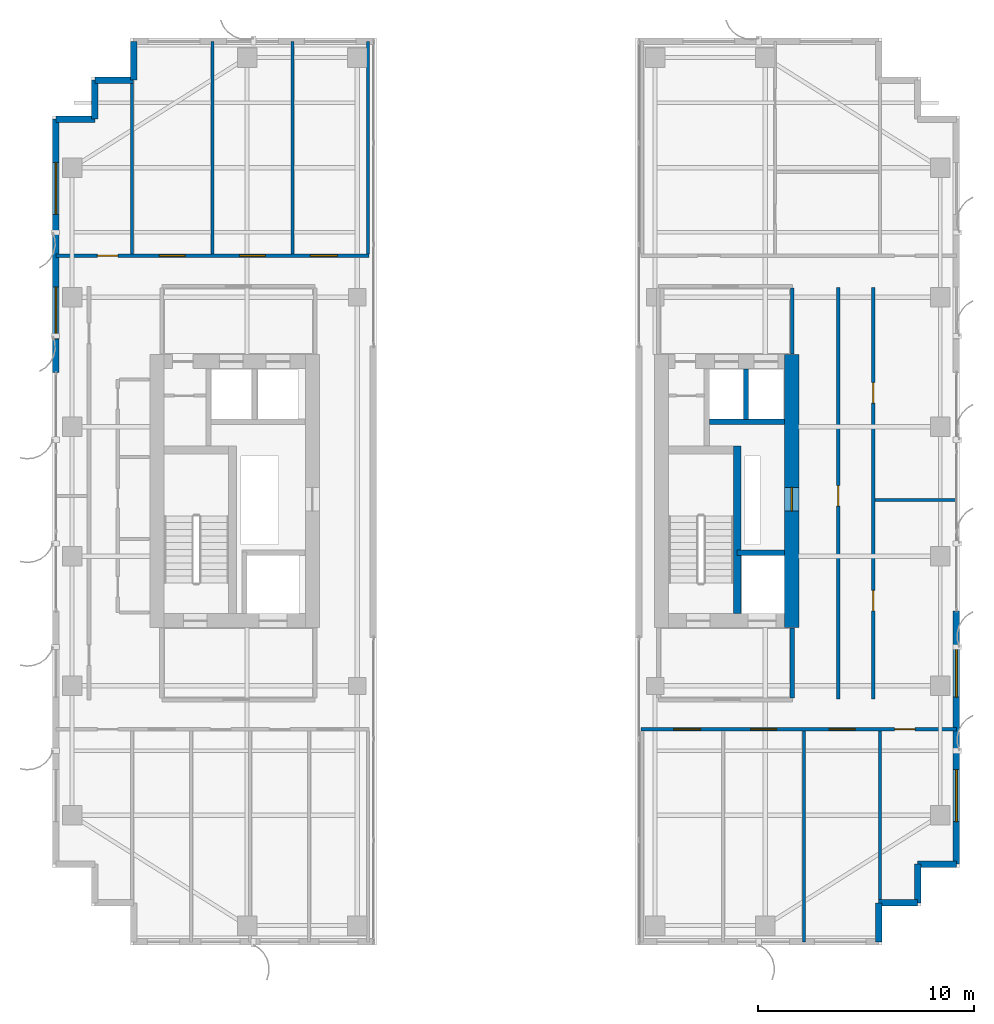
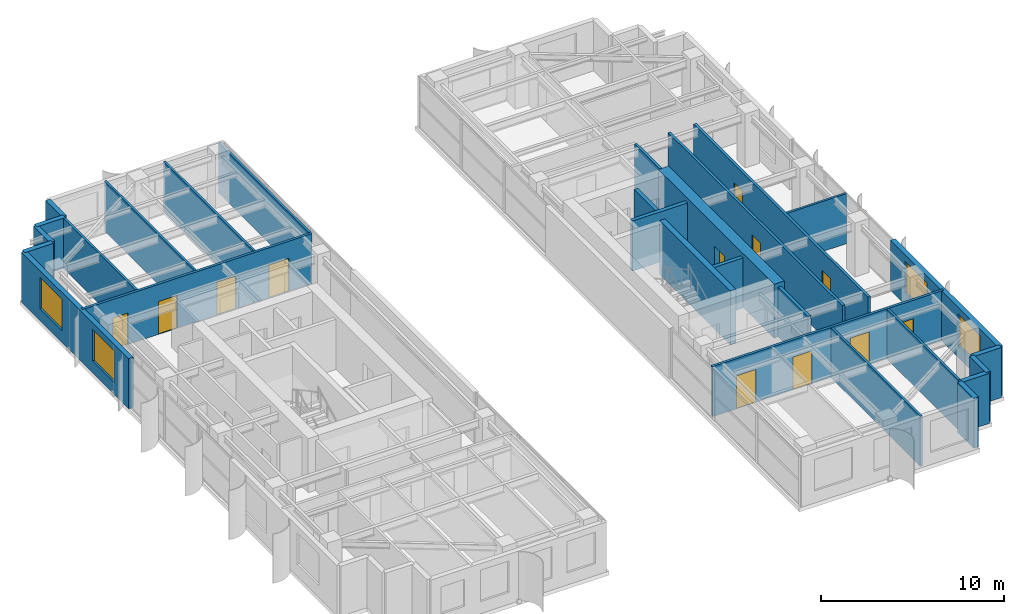
# One storey, part 18 of 22: 28 walls, 12 doors, 4 windows, 16 openings.
"""IFC4 building model written with IfcOpenShell, lengths in metres."""

from ifc_helpers import new_model, si_unit, direction, frame, frame_2d, origin, place, context, subcontext, project, spatial, rectangle, extrude, source, transform, mapped, material, layer, layer_set, type_object, element, fill, save


model = new_model("IFC4")

# Units and contexts
model_context = context("Model", 3, precision=1e-05, world=origin(), true_north=direction((0.0, 1.0)))
body_context = subcontext(model_context, "Body", "Model", "MODEL_VIEW")
ifc_project = project(units=[si_unit("LENGTHUNIT", "METRE"), si_unit("AREAUNIT", "SQUARE_METRE"), si_unit("VOLUMEUNIT", "CUBIC_METRE"), si_unit("PLANEANGLEUNIT", "RADIAN"), si_unit("MASSUNIT", "GRAM", prefix="KILO")], contexts=[model_context])

# Site, building, storey
site_placement = place(None, origin())
site = spatial("IfcSite", under=ifc_project, at=site_placement, CompositionType="ELEMENT")
building_placement = place(site_placement, origin())
building = spatial("IfcBuilding", under=site, at=building_placement, Name="Khoralis Quay Care Tower", CompositionType="ELEMENT")
storey_placement = place(building_placement, frame((0.0, 0.0, 188.10009765625)))
storey = spatial("IfcBuildingStorey", under=building, at=storey_placement, Name="L49", CompositionType="ELEMENT", Elevation=188.10009765625)

# Wall
ifc_material_1 = material(Name="Gypsum plasterboard on acoustic metal stud")
ifc_layer_1 = layer(ifc_material_1, 0.199951171875)
ifc_layer_set_1 = layer_set([ifc_layer_1], Name="Gypsum plasterboard on acoustic metal stud")
wall_type_1 = type_object("IfcWallType", Name="WL-COMP-200", PredefinedType="PARTITIONING", material=ifc_layer_set_1)
wall_1_placement = place(storey_placement, frame((37.25, 11.445068359375, 0.0), z_axis=(0.0, 0.0, 1.0), x_axis=(0.0, 1.0, 0.0)))
element("IfcWall", 1, at=wall_1_placement, inside=storey, type_object=wall_type_1, Name="L49 East Firefighting Lobby East Wall", PredefinedType="PARTITIONING", context=body_context, shape_type="SweptSolid", body=[
    extrude(rectangle(XDim=3.23486328125, YDim=0.199951171875, at=frame_2d((1.617431640625, 0.0))), origin(), (0.0, 0.0, 1.0), 3.33984375),
])

# Wall, opening, door
ifc_material_2 = material(Name="Concrete C65/80", Category="concrete")
ifc_layer_2 = layer(ifc_material_2, 0.64990234375)
ifc_layer_set_2 = layer_set([ifc_layer_2], Name="Concrete C65/80")
wall_type_2 = type_object("IfcWallType", Name="WL-CORE-650", PredefinedType="SHEAR", material=ifc_layer_set_2)
wall_2_placement = place(storey_placement, frame((37.22509765625, 14.699951171875, 0.0), z_axis=(0.0, 0.0, 1.0), x_axis=(0.0, 1.0, 0.0)))
wall_2 = element("IfcWall", 2, at=wall_2_placement, inside=storey, type_object=wall_type_2, Name="L49 ECORE East Shear Wall", PredefinedType="SHEAR", context=body_context, shape_type="SweptSolid", body=[
    extrude(rectangle(XDim=12.650146484375, YDim=0.64990234375, at=frame_2d((6.3251953125, 0.0))), origin(), (0.0, 0.0, 1.0), 3.599853515625),
])
opening_1_placement = place(wall_2_placement, frame((5.39990234375, 0.0, 0.0)))
opening_1 = element("IfcOpeningElement", 3, at=opening_1_placement, cuts=wall_2, Name="Opening SD1", PredefinedType="OPENING", context=body_context, shape_type="SweptSolid", body=[
    extrude(rectangle(XDim=1.10009765625, YDim=2.199951171875, at=frame_2d((0.550048828125, 1.10009765625))), frame((0.0, 0.3349609375, 0.0), z_axis=(0.0, -1.0, 0.0), x_axis=(1.0, 0.0, 0.0)), (0.0, 0.0, 1.0), 0.669921875),
])
ifc_material_3 = material(Name="Fire-rated painted steel", Category="steel")
door_type_1 = type_object("IfcDoorType", Name="DR-STAIR-1100X2200", OperationType="NOTDEFINED", PredefinedType="DOOR", material=ifc_material_3)
shared_shape_1 = source(origin(), body_context, "Body", "SweptSolid", [
    extrude(rectangle(XDim=1.10009765625, YDim=2.199951171875, at=frame_2d((0.550048828125, 1.10009765625))), frame((0.0, 0.02490234375, 0.0), z_axis=(0.0, -1.0, 0.0), x_axis=(1.0, 0.0, 0.0)), (0.0, 0.0, 1.0), 0.050048828125),
])
door_1_placement = place(opening_1_placement, frame((1.10009765625, 0.0, 0.0), z_axis=(0.0, 0.0, 1.0), x_axis=(-1.0, 0.0, 0.0)))
door_1 = element("IfcDoor", 4, at=door_1_placement, inside=storey, type_object=door_type_1, Name="L49 East MEP Riser Door", OperationType="SINGLE_SWING_RIGHT", OverallHeight=2.199951171875, OverallWidth=1.10009765625, PredefinedType="DOOR", context=body_context, shape_type="MappedRepresentation", body=[
    mapped(shared_shape_1, transform((0.0, 0.0, 0.0), scale=1.0)),
])
fill(opening_1, door_1)

# Wall
ifc_layer_3 = layer(ifc_material_1, 0.1650390625)
ifc_layer_set_3 = layer_set([ifc_layer_3], Name="Gypsum plasterboard on acoustic metal stud")
wall_type_3 = type_object("IfcWallType", Name="WL-CORR-165", PredefinedType="PARTITIONING", material=ifc_layer_set_3)
wall_3_placement = place(storey_placement, frame((37.25, 27.3701171875, 0.0), z_axis=(0.0, 0.0, 1.0), x_axis=(0.0, 1.0, 0.0)))
element("IfcWall", 5, at=wall_3_placement, inside=storey, type_object=wall_type_3, Name="L49 East Lift Lobby East Wall", PredefinedType="PARTITIONING", context=body_context, shape_type="SweptSolid", body=[
    extrude(rectangle(XDim=3.052490234375, YDim=0.1650390625, at=frame_2d((1.5263671875, 0.0))), origin(), (0.0, 0.0, 1.0), 3.33984375),
])

# Wall, openings, doors
wall_4_placement = place(storey_placement, frame((3.14501953125, 31.919921875, 0.0), z_axis=(0.0, 0.0, 1.0), x_axis=(1.0, 0.0, 0.0)))
wall_4 = element("IfcWall", 6, at=wall_4_placement, inside=storey, type_object=wall_type_3, Name="L49 West Wing North Corridor Wall", PredefinedType="PARTITIONING", context=body_context, shape_type="SweptSolid", body=[
    extrude(rectangle(XDim=14.5048828125, YDim=0.1650390625, at=frame_2d((7.25244140625, 0.0))), origin(), (0.0, 0.0, 1.0), 3.33984375),
])
opening_2_placement = place(wall_4_placement, frame((4.7900390625, 0.0, 0.0)))
opening_2 = element("IfcOpeningElement", 7, at=opening_2_placement, cuts=wall_4, Name="Opening FD1", PredefinedType="OPENING", context=body_context, shape_type="SweptSolid", body=[
    extrude(rectangle(XDim=1.199951171875, YDim=2.199951171875, at=frame_2d((0.60009765625, 1.10009765625))), frame((0.0, 0.092529296875, 0.0), z_axis=(0.0, -1.0, 0.0), x_axis=(1.0, 0.0, 0.0)), (0.0, 0.0, 1.0), 0.18505859375),
])
opening_3_placement = place(wall_4_placement, frame((8.5048828125, 0.0, 0.0)))
opening_3 = element("IfcOpeningElement", 8, at=opening_3_placement, cuts=wall_4, Name="Opening FD1", PredefinedType="OPENING", context=body_context, shape_type="SweptSolid", body=[
    extrude(rectangle(XDim=1.199951171875, YDim=2.199951171875, at=frame_2d((0.60009765625, 1.10009765625))), frame((0.0, 0.092529296875, 0.0), z_axis=(0.0, -1.0, 0.0), x_axis=(1.0, 0.0, 0.0)), (0.0, 0.0, 1.0), 0.18505859375),
])
opening_4_placement = place(wall_4_placement, frame((11.784912109375, 0.0, 0.0)))
opening_4 = element("IfcOpeningElement", 9, at=opening_4_placement, cuts=wall_4, Name="Opening CD1", PredefinedType="OPENING", context=body_context, shape_type="SweptSolid", body=[
    extrude(rectangle(XDim=1.25, YDim=2.199951171875, at=frame_2d((0.625, 1.10009765625))), frame((0.0, 0.092529296875, 0.0), z_axis=(0.0, -1.0, 0.0), x_axis=(1.0, 0.0, 0.0)), (0.0, 0.0, 1.0), 0.18505859375),
])
opening_5_placement = place(wall_4_placement, frame((1.919921875, 0.0, 0.0)))
opening_5 = element("IfcOpeningElement", 10, at=opening_5_placement, cuts=wall_4, Name="Opening ID1", PredefinedType="OPENING", context=body_context, shape_type="SweptSolid", body=[
    extrude(rectangle(XDim=0.949951171875, YDim=2.10009765625, at=frame_2d((0.47509765625, 1.050048828125))), frame((0.0, 0.092529296875, 0.0), z_axis=(0.0, -1.0, 0.0), x_axis=(1.0, 0.0, 0.0)), (0.0, 0.0, 1.0), 0.18505859375),
])
door_type_2 = type_object("IfcDoorType", Name="DR-FFL-1200X2200", OperationType="NOTDEFINED", PredefinedType="DOOR", material=ifc_material_3)
shared_shape_2 = source(origin(), body_context, "Body", "SweptSolid", [
    extrude(rectangle(XDim=1.199951171875, YDim=2.199951171875, at=frame_2d((0.60009765625, 1.10009765625))), frame((0.0, 0.02490234375, 0.0), z_axis=(0.0, -1.0, 0.0), x_axis=(1.0, 0.0, 0.0)), (0.0, 0.0, 1.0), 0.050048828125),
])
door_2_placement = place(opening_2_placement, origin())
door_2 = element("IfcDoor", 11, at=door_2_placement, inside=storey, type_object=door_type_2, Name="L49 Resident Communal Day Lounge Door", OperationType="DOUBLE_DOOR_SINGLE_SWING", OverallHeight=2.199951171875, OverallWidth=1.199951171875, PredefinedType="DOOR", context=body_context, shape_type="MappedRepresentation", body=[
    mapped(shared_shape_2, transform((0.0, 0.0, 0.0), scale=1.0)),
])
fill(opening_2, door_2)
door_3_placement = place(opening_3_placement, origin())
door_3 = element("IfcDoor", 12, at=door_3_placement, inside=storey, type_object=door_type_2, Name="L49 Resident Communal Day Lounge Door", OperationType="DOUBLE_DOOR_SINGLE_SWING", OverallHeight=2.199951171875, OverallWidth=1.199951171875, PredefinedType="DOOR", context=body_context, shape_type="MappedRepresentation", body=[
    mapped(shared_shape_2, transform((0.0, 0.0, 0.0), scale=1.0)),
])
fill(opening_3, door_3)
ifc_material_4 = material(Name="Acoustic hardwood timber", Category="wood")
door_type_3 = type_object("IfcDoorType", Name="DR-CARE-1250X2200", OperationType="NOTDEFINED", PredefinedType="DOOR", material=ifc_material_4)
shared_shape_3 = source(origin(), body_context, "Body", "SweptSolid", [
    extrude(rectangle(XDim=1.25, YDim=2.199951171875, at=frame_2d((0.625, 1.10009765625))), frame((0.0, 0.02490234375, 0.0), z_axis=(0.0, -1.0, 0.0), x_axis=(1.0, 0.0, 0.0)), (0.0, 0.0, 1.0), 0.050048828125),
])
door_4_placement = place(opening_4_placement, origin())
door_4 = element("IfcDoor", 13, at=door_4_placement, inside=storey, type_object=door_type_3, Name="L49 Physiotherapy Treatment Clinic Door", OperationType="SINGLE_SWING_RIGHT", OverallHeight=2.199951171875, OverallWidth=1.25, PredefinedType="DOOR", context=body_context, shape_type="MappedRepresentation", body=[
    mapped(shared_shape_3, transform((0.0, 0.0, 0.0), scale=1.0)),
])
fill(opening_4, door_4)
door_type_4 = type_object("IfcDoorType", Name="DR-ROOM-950X2100", OperationType="NOTDEFINED", PredefinedType="DOOR", material=ifc_material_4)
shared_shape_4 = source(origin(), body_context, "Body", "SweptSolid", [
    extrude(rectangle(XDim=0.949951171875, YDim=2.10009765625, at=frame_2d((0.47509765625, 1.050048828125))), frame((0.0, 0.02490234375, 0.0), z_axis=(0.0, -1.0, 0.0), x_axis=(1.0, 0.0, 0.0)), (0.0, 0.0, 1.0), 0.050048828125),
])
door_5_placement = place(opening_5_placement, origin())
door_5 = element("IfcDoor", 14, at=door_5_placement, inside=storey, type_object=door_type_4, Name="L49 NW Corner Door", OperationType="SINGLE_SWING_RIGHT", OverallHeight=2.10009765625, OverallWidth=0.949951171875, PredefinedType="DOOR", context=body_context, shape_type="MappedRepresentation", body=[
    mapped(shared_shape_4, transform((0.0, 0.0, 0.0), scale=1.0)),
])
fill(opening_5, door_5)

wall_5_placement = place(storey_placement, frame((30.25, 9.989990234375, 0.0), z_axis=(0.0, 0.0, 1.0), x_axis=(1.0, 0.0, 0.0)))
wall_5 = element("IfcWall", 15, at=wall_5_placement, inside=storey, type_object=wall_type_3, Name="L49 East Wing South Corridor Wall", PredefinedType="PARTITIONING", context=body_context, shape_type="SweptSolid", body=[
    extrude(rectangle(XDim=14.60498046875, YDim=0.1650390625, at=frame_2d((7.302490234375, 0.0))), origin(), (0.0, 0.0, 1.0), 3.33984375),
])
opening_6_placement = place(wall_5_placement, frame((1.5, 0.0, 0.0)))
opening_6 = element("IfcOpeningElement", 16, at=opening_6_placement, cuts=wall_5, Name="Opening CD1", PredefinedType="OPENING", context=body_context, shape_type="SweptSolid", body=[
    extrude(rectangle(XDim=1.25, YDim=2.199951171875, at=frame_2d((0.625, 1.10009765625))), frame((0.0, 0.092529296875, 0.0), z_axis=(0.0, -1.0, 0.0), x_axis=(1.0, 0.0, 0.0)), (0.0, 0.0, 1.0), 0.18505859375),
])
opening_7_placement = place(wall_5_placement, frame((5.070068359375, 0.0, 0.0)))
opening_7 = element("IfcOpeningElement", 17, at=opening_7_placement, cuts=wall_5, Name="Opening FD1", PredefinedType="OPENING", context=body_context, shape_type="SweptSolid", body=[
    extrude(rectangle(XDim=1.199951171875, YDim=2.199951171875, at=frame_2d((0.60009765625, 1.10009765625))), frame((0.0, 0.092529296875, 0.0), z_axis=(0.0, -1.0, 0.0), x_axis=(1.0, 0.0, 0.0)), (0.0, 0.0, 1.0), 0.18505859375),
])
opening_8_placement = place(wall_5_placement, frame((8.705078125, 0.0, 0.0)))
opening_8 = element("IfcOpeningElement", 18, at=opening_8_placement, cuts=wall_5, Name="Opening FD1", PredefinedType="OPENING", context=body_context, shape_type="SweptSolid", body=[
    extrude(rectangle(XDim=1.199951171875, YDim=2.199951171875, at=frame_2d((0.60009765625, 1.10009765625))), frame((0.0, 0.092529296875, 0.0), z_axis=(0.0, -1.0, 0.0), x_axis=(1.0, 0.0, 0.0)), (0.0, 0.0, 1.0), 0.18505859375),
])
opening_9_placement = place(wall_5_placement, frame((11.735107421875, 0.0, 0.0)))
opening_9 = element("IfcOpeningElement", 19, at=opening_9_placement, cuts=wall_5, Name="Opening ID1", PredefinedType="OPENING", context=body_context, shape_type="SweptSolid", body=[
    extrude(rectangle(XDim=0.949951171875, YDim=2.10009765625, at=frame_2d((0.47509765625, 1.050048828125))), frame((0.0, 0.092529296875, 0.0), z_axis=(0.0, -1.0, 0.0), x_axis=(1.0, 0.0, 0.0)), (0.0, 0.0, 1.0), 0.18505859375),
])
door_6_placement = place(opening_7_placement, frame((1.199951171875, 0.0, 0.0), z_axis=(0.0, 0.0, 1.0), x_axis=(-1.0, 0.0, 0.0)))
door_6 = element("IfcDoor", 20, at=door_6_placement, inside=storey, type_object=door_type_2, Name="L49 Assisted Communal Dining Room Door", OperationType="DOUBLE_DOOR_SINGLE_SWING", OverallHeight=2.199951171875, OverallWidth=1.199951171875, PredefinedType="DOOR", context=body_context, shape_type="MappedRepresentation", body=[
    mapped(shared_shape_2, transform((0.0, 0.0, 0.0), scale=1.0)),
])
fill(opening_7, door_6)
door_7_placement = place(opening_8_placement, frame((1.199951171875, 0.0, 0.0), z_axis=(0.0, 0.0, 1.0), x_axis=(-1.0, 0.0, 0.0)))
door_7 = element("IfcDoor", 21, at=door_7_placement, inside=storey, type_object=door_type_2, Name="L49 Resident Communal Day Lounge Door", OperationType="DOUBLE_DOOR_SINGLE_SWING", OverallHeight=2.199951171875, OverallWidth=1.199951171875, PredefinedType="DOOR", context=body_context, shape_type="MappedRepresentation", body=[
    mapped(shared_shape_2, transform((0.0, 0.0, 0.0), scale=1.0)),
])
fill(opening_8, door_7)
door_8_placement = place(opening_6_placement, frame((1.25, 0.0, 0.0), z_axis=(0.0, 0.0, 1.0), x_axis=(-1.0, 0.0, 0.0)))
door_8 = element("IfcDoor", 22, at=door_8_placement, inside=storey, type_object=door_type_3, Name="L49 Geriatric Consultation Clinic Door", OperationType="SINGLE_SWING_RIGHT", OverallHeight=2.199951171875, OverallWidth=1.25, PredefinedType="DOOR", context=body_context, shape_type="MappedRepresentation", body=[
    mapped(shared_shape_3, transform((0.0, 0.0, 0.0), scale=1.0)),
])
fill(opening_6, door_8)
door_9_placement = place(opening_9_placement, frame((0.949951171875, 0.0, 0.0), z_axis=(0.0, 0.0, 1.0), x_axis=(-1.0, 0.0, 0.0)))
door_9 = element("IfcDoor", 23, at=door_9_placement, inside=storey, type_object=door_type_4, Name="L49 SE Corner Door", OperationType="SINGLE_SWING_RIGHT", OverallHeight=2.10009765625, OverallWidth=0.949951171875, PredefinedType="DOOR", context=body_context, shape_type="MappedRepresentation", body=[
    mapped(shared_shape_4, transform((0.0, 0.0, 0.0), scale=1.0)),
])
fill(opening_9, door_9)

wall_6_placement = place(storey_placement, frame((41.0, 11.39990234375, 0.0), z_axis=(0.0, 0.0, 1.0), x_axis=(0.0, 1.0, 0.0)))
wall_6 = element("IfcWall", 24, at=wall_6_placement, inside=storey, type_object=wall_type_3, Name="L49 East Gallery Wall", PredefinedType="PARTITIONING", context=body_context, shape_type="SweptSolid", body=[
    extrude(rectangle(XDim=19.050048828125, YDim=0.1650390625, at=frame_2d((9.52490234375, 0.0))), origin(), (0.0, 0.0, 1.0), 3.33984375),
])
opening_10_placement = place(wall_6_placement, frame((4.074951171875, 0.0, 0.0)))
opening_10 = element("IfcOpeningElement", 25, at=opening_10_placement, cuts=wall_6, Name="Opening ID1", PredefinedType="OPENING", context=body_context, shape_type="SweptSolid", body=[
    extrude(rectangle(XDim=0.949951171875, YDim=2.10009765625, at=frame_2d((0.47509765625, 1.050048828125))), frame((0.0, 0.092529296875, 0.0), z_axis=(0.0, -1.0, 0.0), x_axis=(1.0, 0.0, 0.0)), (0.0, 0.0, 1.0), 0.18505859375),
])
opening_11_placement = place(wall_6_placement, frame((13.699951171875, 0.0, 0.0)))
opening_11 = element("IfcOpeningElement", 26, at=opening_11_placement, cuts=wall_6, Name="Opening ID1", PredefinedType="OPENING", context=body_context, shape_type="SweptSolid", body=[
    extrude(rectangle(XDim=0.949951171875, YDim=2.10009765625, at=frame_2d((0.47509765625, 1.050048828125))), frame((0.0, 0.092529296875, 0.0), z_axis=(0.0, -1.0, 0.0), x_axis=(1.0, 0.0, 0.0)), (0.0, 0.0, 1.0), 0.18505859375),
])
door_10_placement = place(opening_10_placement, origin())
door_10 = element("IfcDoor", 27, at=door_10_placement, inside=storey, type_object=door_type_4, Name="L49 East Waterfront Rehab Clinic Door", OperationType="SINGLE_SWING_LEFT", OverallHeight=2.10009765625, OverallWidth=0.949951171875, PredefinedType="DOOR", context=body_context, shape_type="MappedRepresentation", body=[
    mapped(shared_shape_4, transform((0.0, 0.0, 0.0), scale=1.0)),
])
fill(opening_10, door_10)
door_11_placement = place(opening_11_placement, origin())
door_11 = element("IfcDoor", 28, at=door_11_placement, inside=storey, type_object=door_type_4, Name="L49 East Bay Communal Dining Room Door", OperationType="SINGLE_SWING_RIGHT", OverallHeight=2.10009765625, OverallWidth=0.949951171875, PredefinedType="DOOR", context=body_context, shape_type="MappedRepresentation", body=[
    mapped(shared_shape_4, transform((0.0, 0.0, 0.0), scale=1.0)),
])
fill(opening_11, door_11)

# Wall, opening, door
wall_7_placement = place(storey_placement, frame((39.3798828125, 11.39990234375, 0.0), z_axis=(0.0, 0.0, 1.0), x_axis=(0.0, 1.0, 0.0)))
wall_7 = element("IfcWall", 29, at=wall_7_placement, inside=storey, type_object=wall_type_3, Name="L49 East Inner Clinic Wall", PredefinedType="PARTITIONING", context=body_context, shape_type="SweptSolid", body=[
    extrude(rectangle(XDim=19.050048828125, YDim=0.1650390625, at=frame_2d((9.52490234375, 0.0))), origin(), (0.0, 0.0, 1.0), 3.33984375),
])
opening_12_placement = place(wall_7_placement, frame((8.925048828125, 0.0, 0.0)))
opening_12 = element("IfcOpeningElement", 30, at=opening_12_placement, cuts=wall_7, Name="Opening ID1", PredefinedType="OPENING", context=body_context, shape_type="SweptSolid", body=[
    extrude(rectangle(XDim=0.949951171875, YDim=2.10009765625, at=frame_2d((0.47509765625, 1.050048828125))), frame((0.0, 0.092529296875, 0.0), z_axis=(0.0, -1.0, 0.0), x_axis=(1.0, 0.0, 0.0)), (0.0, 0.0, 1.0), 0.18505859375),
])
door_12_placement = place(opening_12_placement, frame((0.949951171875, 0.0, 0.0), z_axis=(0.0, 0.0, 1.0), x_axis=(-1.0, 0.0, 0.0)))
door_12 = element("IfcDoor", 31, at=door_12_placement, inside=storey, type_object=door_type_4, Name="L49 East Rehab Therapy Door", OperationType="SINGLE_SWING_LEFT", OverallHeight=2.10009765625, OverallWidth=0.949951171875, PredefinedType="DOOR", context=body_context, shape_type="MappedRepresentation", body=[
    mapped(shared_shape_4, transform((0.0, 0.0, 0.0), scale=1.0)),
])
fill(opening_12, door_12)

# Walls
ifc_material_5 = material(Name="Precast concrete C45/55", Category="concrete")
ifc_layer_4 = layer(ifc_material_5, 0.300048828125)
ifc_layer_set_4 = layer_set([ifc_layer_4], Name="Precast concrete C45/55")
wall_type_4 = type_object("IfcWallType", Name="WL-EXT-REF-300", PredefinedType="SOLIDWALL", material=ifc_layer_set_4)
for number, where, z_axis, x_axis, name in (
    (32, (6.75, 41.85009765625, 0.0), (0.0, 0.0, 1.0), (0.0, -1.0, 0.0), "L49 External Facade Wall WL-EXT-L49-P1-C3"),
    (33, (6.75, 40.050048828125, 0.0), (0.0, 0.0, 1.0), (-1.0, 0.0, 0.0), "L49 External Facade Wall WL-EXT-L49-P1-C4"),
    (34, (4.949951171875, 40.050048828125, 0.0), (0.0, 0.0, 1.0), (0.0, -1.0, 0.0), "L49 External Facade Wall WL-EXT-L49-P1-C5"),
    (35, (4.949951171875, 38.25, 0.0), (0.0, 0.0, 1.0), (-1.0, 0.0, 0.0), "L49 External Facade Wall WL-EXT-L49-P1-C6"),
):
    element("IfcWall", number, at=place(storey_placement, frame(where, z_axis=z_axis, x_axis=x_axis)), inside=storey, type_object=wall_type_4, Name=name, PredefinedType="SOLIDWALL", context=body_context, shape_type="SweptSolid", body=[
        extrude(rectangle(XDim=1.800048828125, YDim=0.300048828125, at=frame_2d((0.89990234375, 0.0))), origin(), (0.0, 0.0, 1.0), 3.33984375),
    ])

# Wall, openings, windows
wall_8_placement = place(storey_placement, frame((3.14990234375, 38.25, 0.0), z_axis=(0.0, 0.0, 1.0), x_axis=(0.0, -1.0, 0.0)))
wall_8 = element("IfcWall", 36, at=wall_8_placement, inside=storey, type_object=wall_type_4, Name="L49 External Facade Wall WL-EXT-L49-P1-E7A", PredefinedType="SOLIDWALL", context=body_context, shape_type="SweptSolid", body=[
    extrude(rectangle(XDim=11.72998046875, YDim=0.300048828125, at=frame_2d((5.864990234375, 0.0))), origin(), (0.0, 0.0, 1.0), 3.33984375),
])
opening_13_placement = place(wall_8_placement, frame((2.014892578125, 0.0, 0.800048828125)))
opening_13 = element("IfcOpeningElement", 37, at=opening_13_placement, cuts=wall_8, Name="Opening W1", PredefinedType="OPENING", context=body_context, shape_type="SweptSolid", body=[
    extrude(rectangle(XDim=2.39990234375, YDim=2.10009765625, at=frame_2d((1.199951171875, 1.050048828125))), frame((0.0, 0.16015625, 0.0), z_axis=(0.0, -1.0, 0.0), x_axis=(1.0, 0.0, 0.0)), (0.0, 0.0, 1.0), 0.320068359375),
])
opening_14_placement = place(wall_8_placement, frame((7.780029296875, 0.0, 0.800048828125)))
opening_14 = element("IfcOpeningElement", 38, at=opening_14_placement, cuts=wall_8, Name="Opening W1", PredefinedType="OPENING", context=body_context, shape_type="SweptSolid", body=[
    extrude(rectangle(XDim=2.39990234375, YDim=2.10009765625, at=frame_2d((1.199951171875, 1.050048828125))), frame((0.0, 0.16015625, 0.0), z_axis=(0.0, -1.0, 0.0), x_axis=(1.0, 0.0, 0.0)), (0.0, 0.0, 1.0), 0.320068359375),
])
ifc_material_6 = material(Name="Low-E solar-control double glazing", Category="glass")
window_type = type_object("IfcWindowType", Name="WN-POD-2400X2100", PartitioningType="SINGLE_PANEL", PredefinedType="WINDOW", material=ifc_material_6)
shared_shape_5 = source(origin(), body_context, "Body", "SweptSolid", [
    extrude(rectangle(XDim=2.39990234375, YDim=2.10009765625, at=frame_2d((1.199951171875, 1.050048828125))), frame((0.0, 0.030029296875, 0.0), z_axis=(0.0, -1.0, 0.0), x_axis=(1.0, 0.0, 0.0)), (0.0, 0.0, 1.0), 0.06005859375),
])
window_1_placement = place(opening_13_placement, origin())
window_1 = element("IfcWindow", 39, at=window_1_placement, inside=storey, type_object=window_type, Name="WN-L49-P1-E7A Facade Window 01", OverallHeight=2.10009765625, OverallWidth=2.39990234375, PartitioningType="SINGLE_PANEL", PredefinedType="WINDOW", context=body_context, shape_type="MappedRepresentation", body=[
    mapped(shared_shape_5, transform((0.0, 0.0, 0.0), scale=1.0)),
])
fill(opening_13, window_1)
window_2_placement = place(opening_14_placement, origin())
window_2 = element("IfcWindow", 40, at=window_2_placement, inside=storey, type_object=window_type, Name="WN-L49-P1-E7A Facade Window 02", OverallHeight=2.10009765625, OverallWidth=2.39990234375, PartitioningType="SINGLE_PANEL", PredefinedType="WINDOW", context=body_context, shape_type="MappedRepresentation", body=[
    mapped(shared_shape_5, transform((0.0, 0.0, 0.0), scale=1.0)),
])
fill(opening_14, window_2)

# Walls
for number, where, z_axis, x_axis, name in (
    (41, (41.25, 0.14990234375, 0.0), (0.0, 0.0, 1.0), (0.0, 1.0, 0.0), "L49 External Facade Wall WL-EXT-L49-P2-C1"),
    (42, (41.25, 1.949951171875, 0.0), (0.0, 0.0, 1.0), (1.0, 0.0, 0.0), "L49 External Facade Wall WL-EXT-L49-P2-C2"),
    (43, (43.050048828125, 1.949951171875, 0.0), (0.0, 0.0, 1.0), (0.0, 1.0, 0.0), "L49 External Facade Wall WL-EXT-L49-P2-C3"),
    (44, (43.050048828125, 3.75, 0.0), (0.0, 0.0, 1.0), (1.0, 0.0, 0.0), "L49 External Facade Wall WL-EXT-L49-P2-C4"),
):
    element("IfcWall", number, at=place(storey_placement, frame(where, z_axis=z_axis, x_axis=x_axis)), inside=storey, type_object=wall_type_4, Name=name, PredefinedType="SOLIDWALL", context=body_context, shape_type="SweptSolid", body=[
        extrude(rectangle(XDim=1.800048828125, YDim=0.300048828125, at=frame_2d((0.89990234375, 0.0))), origin(), (0.0, 0.0, 1.0), 3.33984375),
    ])

# Wall, openings, windows
wall_9_placement = place(storey_placement, frame((44.85009765625, 3.75, 0.0), z_axis=(0.0, 0.0, 1.0), x_axis=(0.0, 1.0, 0.0)))
wall_9 = element("IfcWall", 45, at=wall_9_placement, inside=storey, type_object=wall_type_4, Name="L49 External Facade Wall WL-EXT-L49-P2-E5A", PredefinedType="SOLIDWALL", context=body_context, shape_type="SweptSolid", body=[
    extrude(rectangle(XDim=11.72998046875, YDim=0.300048828125, at=frame_2d((5.864990234375, 0.0))), origin(), (0.0, 0.0, 1.0), 3.33984375),
])
opening_15_placement = place(wall_9_placement, frame((1.969970703125, 0.0, 0.800048828125)))
opening_15 = element("IfcOpeningElement", 46, at=opening_15_placement, cuts=wall_9, Name="Opening W1", PredefinedType="OPENING", context=body_context, shape_type="SweptSolid", body=[
    extrude(rectangle(XDim=2.39990234375, YDim=2.10009765625, at=frame_2d((1.199951171875, 1.050048828125))), frame((0.0, 0.16015625, 0.0), z_axis=(0.0, -1.0, 0.0), x_axis=(1.0, 0.0, 0.0)), (0.0, 0.0, 1.0), 0.320068359375),
])
opening_16_placement = place(wall_9_placement, frame((7.735107421875, 0.0, 0.800048828125)))
opening_16 = element("IfcOpeningElement", 47, at=opening_16_placement, cuts=wall_9, Name="Opening W1", PredefinedType="OPENING", context=body_context, shape_type="SweptSolid", body=[
    extrude(rectangle(XDim=2.39990234375, YDim=2.10009765625, at=frame_2d((1.199951171875, 1.050048828125))), frame((0.0, 0.16015625, 0.0), z_axis=(0.0, -1.0, 0.0), x_axis=(1.0, 0.0, 0.0)), (0.0, 0.0, 1.0), 0.320068359375),
])
window_3_placement = place(opening_15_placement, origin())
window_3 = element("IfcWindow", 48, at=window_3_placement, inside=storey, type_object=window_type, Name="WN-L49-P2-E5A Facade Window 01", OverallHeight=2.10009765625, OverallWidth=2.39990234375, PartitioningType="SINGLE_PANEL", PredefinedType="WINDOW", context=body_context, shape_type="MappedRepresentation", body=[
    mapped(shared_shape_5, transform((0.0, 0.0, 0.0), scale=1.0)),
])
fill(opening_15, window_3)
window_4_placement = place(opening_16_placement, origin())
window_4 = element("IfcWindow", 49, at=window_4_placement, inside=storey, type_object=window_type, Name="WN-L49-P2-E5A Facade Window 02", OverallHeight=2.10009765625, OverallWidth=2.39990234375, PartitioningType="SINGLE_PANEL", PredefinedType="WINDOW", context=body_context, shape_type="MappedRepresentation", body=[
    mapped(shared_shape_5, transform((0.0, 0.0, 0.0), scale=1.0)),
])
fill(opening_16, window_4)

# Walls
ifc_material_7 = material(Name="Concrete C40/50", Category="concrete")
ifc_layer_5 = layer(ifc_material_7, 0.35009765625)
ifc_layer_set_5 = layer_set([ifc_layer_5], Name="Concrete C40/50")
wall_type_5 = type_object("IfcWallType", Name="WL-SC-CORE-350", PredefinedType="SHEAR", material=ifc_layer_set_5)
wall_10_placement = place(storey_placement, frame((34.695068359375, 15.35009765625, 0.0), z_axis=(0.0, 0.0, 1.0), x_axis=(0.0, 1.0, 0.0)))
element("IfcWall", 50, at=wall_10_placement, inside=storey, type_object=wall_type_5, Name="L49 Stair ST-T2 Shear Baffle Wall East", PredefinedType="SHEAR", context=body_context, shape_type="SweptSolid", body=[
    extrude(rectangle(XDim=7.75, YDim=0.35009765625, at=frame_2d((3.875, 0.0))), origin(), (0.0, 0.0, 1.0), 3.599853515625),
])
ifc_layer_6 = layer(ifc_material_1, 0.239990234375)
ifc_layer_set_6 = layer_set([ifc_layer_6], Name="Gypsum plasterboard on acoustic metal stud")
wall_type_6 = type_object("IfcWallType", Name="WL-SHAFT-240", PredefinedType="PARTITIONING", material=ifc_layer_set_6)
wall_11_placement = place(storey_placement, frame((34.679931640625, 18.169921875, 0.0), z_axis=(0.0, 0.0, 1.0), x_axis=(1.0, 0.0, 0.0)))
element("IfcWall", 51, at=wall_11_placement, inside=storey, type_object=wall_type_6, Name="L49 FFL-2 Shaft Wall North", PredefinedType="PARTITIONING", context=body_context, shape_type="SweptSolid", body=[
    extrude(rectangle(XDim=2.199951171875, YDim=0.239990234375, at=frame_2d((1.10009765625, 0.0))), origin(), (0.0, 0.0, 1.0), 3.33984375),
])
wall_12_placement = place(storey_placement, frame((33.405029296875, 24.22998046875, 0.0), z_axis=(0.0, 0.0, 1.0), x_axis=(1.0, 0.0, 0.0)))
element("IfcWall", 52, at=wall_12_placement, inside=storey, type_object=wall_type_6, Name="L49 Active Shaft South Wall East", PredefinedType="PARTITIONING", context=body_context, shape_type="SweptSolid", body=[
    extrude(rectangle(XDim=3.474853515625, YDim=0.239990234375, at=frame_2d((1.7373046875, 0.0))), origin(), (0.0, 0.0, 1.0), 3.33984375),
])
wall_13_placement = place(storey_placement, frame((35.110107421875, 24.344970703125, 0.0), z_axis=(0.0, 0.0, 1.0), x_axis=(0.0, 1.0, 0.0)))
element("IfcWall", 53, at=wall_13_placement, inside=storey, type_object=wall_type_6, Name="L49 East Shaft Divider 2", PredefinedType="PARTITIONING", context=body_context, shape_type="SweptSolid", body=[
    extrude(rectangle(XDim=2.3349609375, YDim=0.239990234375, at=frame_2d((1.16748046875, 0.0))), origin(), (0.0, 0.0, 1.0), 3.33984375),
])
ifc_layer_7 = layer(ifc_material_1, 0.139892578125)
ifc_layer_set_7 = layer_set([ifc_layer_7], Name="Gypsum plasterboard on acoustic metal stud")
wall_type_7 = type_object("IfcWallType", Name="WL-UNIT-140", PredefinedType="PARTITIONING", material=ifc_layer_set_7)
wall_14_placement = place(storey_placement, frame((41.077392578125, 20.60009765625, 0.0), z_axis=(0.0, 0.0, 1.0), x_axis=(1.0, 0.0, 0.0)))
element("IfcWall", 54, at=wall_14_placement, inside=storey, type_object=wall_type_7, Name="L49 East Mid Split", PredefinedType="PARTITIONING", context=body_context, shape_type="SweptSolid", body=[
    extrude(rectangle(XDim=3.777587890625, YDim=0.139892578125, at=frame_2d((1.888671875, 0.0))), origin(), (0.0, 0.0, 1.0), 3.33984375),
])
wall_15_placement = place(storey_placement, frame((6.679931640625, 31.99755859375, 0.0), z_axis=(0.0, 0.0, 1.0), x_axis=(0.0, 1.0, 0.0)))
element("IfcWall", 55, at=wall_15_placement, inside=storey, type_object=wall_type_7, Name="L49 WN Demising Wall 0", PredefinedType="PARTITIONING", context=body_context, shape_type="SweptSolid", body=[
    extrude(rectangle(XDim=8.057373046875, YDim=0.139892578125, at=frame_2d((4.02880859375, 0.0))), origin(), (0.0, 0.0, 1.0), 3.33984375),
])
for number, where, z_axis, x_axis, name in (
    (56, (10.389892578125, 31.99755859375, 0.0), (0.0, 0.0, 1.0), (0.0, 1.0, 0.0), "L49 WN Demising Wall 1"),
    (57, (14.110107421875, 31.99755859375, 0.0), (0.0, 0.0, 1.0), (0.0, 1.0, 0.0), "L49 WN Demising Wall 2"),
    (58, (17.60009765625, 31.99755859375, 0.0), (0.0, 0.0, 1.0), (0.0, 1.0, 0.0), "L49 WN Demising Wall 3"),
):
    element("IfcWall", number, at=place(storey_placement, frame(where, z_axis=z_axis, x_axis=x_axis)), inside=storey, type_object=wall_type_7, Name=name, PredefinedType="PARTITIONING", context=body_context, shape_type="SweptSolid", body=[
        extrude(rectangle(XDim=9.857421875, YDim=0.139892578125, at=frame_2d((4.9287109375, 0.0))), origin(), (0.0, 0.0, 1.0), 3.33984375),
    ])
wall_16_placement = place(storey_placement, frame((37.7900390625, 0.14501953125, 0.0), z_axis=(0.0, 0.0, 1.0), x_axis=(0.0, 1.0, 0.0)))
element("IfcWall", 59, at=wall_16_placement, inside=storey, type_object=wall_type_7, Name="L49 ES Demising Wall 2", PredefinedType="PARTITIONING", context=body_context, shape_type="SweptSolid", body=[
    extrude(rectangle(XDim=9.767578125, YDim=0.139892578125, at=frame_2d((4.8837890625, 0.0))), origin(), (0.0, 0.0, 1.0), 3.33984375),
])
wall_17_placement = place(storey_placement, frame((41.320068359375, 1.945068359375, 0.0), z_axis=(0.0, 0.0, 1.0), x_axis=(0.0, 1.0, 0.0)))
element("IfcWall", 60, at=wall_17_placement, inside=storey, type_object=wall_type_7, Name="L49 ES Demising Wall 3", PredefinedType="PARTITIONING", context=body_context, shape_type="SweptSolid", body=[
    extrude(rectangle(XDim=7.967529296875, YDim=0.139892578125, at=frame_2d((3.98388671875, 0.0))), origin(), (0.0, 0.0, 1.0), 3.33984375),
])

save(model, "model.ifc")
